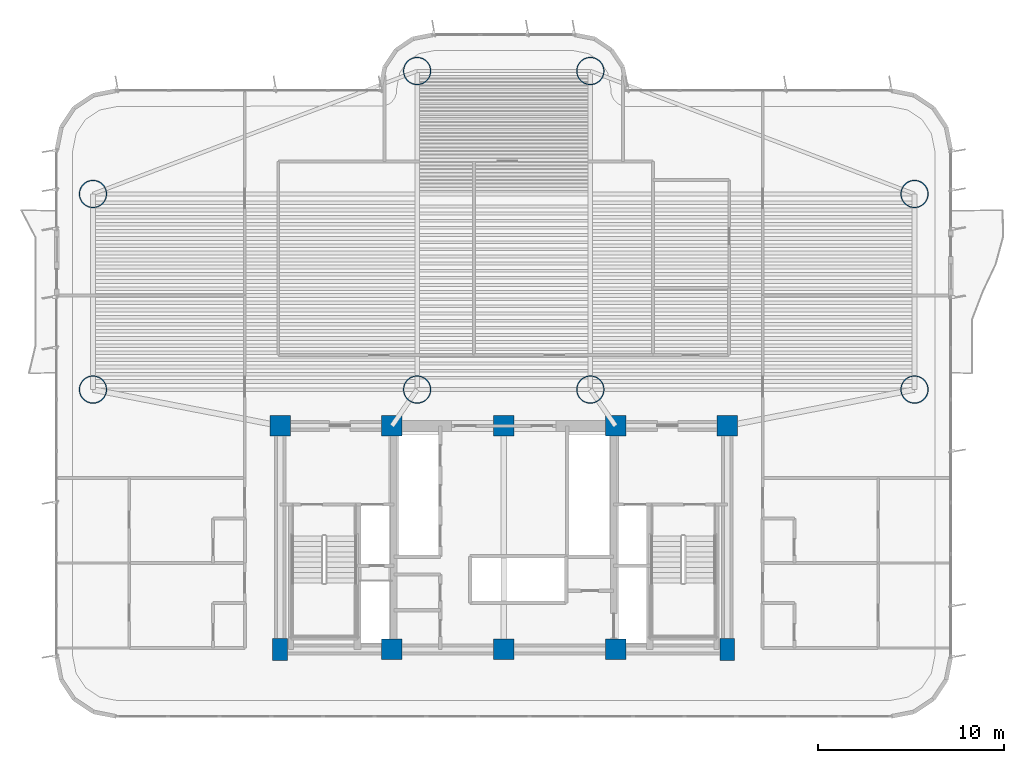
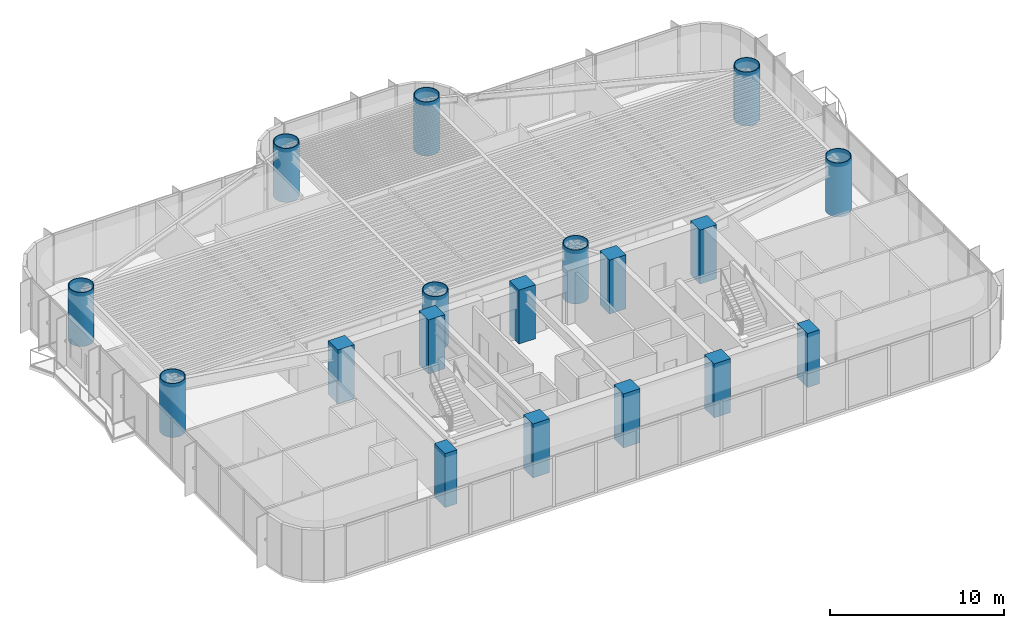
# One storey, part 1 of 17: 18 columns.
"""IFC4 building model written with IfcOpenShell, lengths in metres."""

from ifc_helpers import new_model, si_unit, direction, frame, origin, origin_2d, place, context, subcontext, project, spatial, rectangle, hollow_circle, extrude, source, transform, mapped, material, material_profile, profile_set, type_object, element, save


model = new_model("IFC4")

# Units and contexts
model_context = context("Model", 3, precision=1e-05, world=origin(), true_north=direction((0.0, 1.0)))
body_context = subcontext(model_context, "Body", "Model", "MODEL_VIEW")
ifc_project = project(units=[si_unit("LENGTHUNIT", "METRE"), si_unit("AREAUNIT", "SQUARE_METRE"), si_unit("VOLUMEUNIT", "CUBIC_METRE"), si_unit("PLANEANGLEUNIT", "RADIAN"), si_unit("MASSUNIT", "GRAM", prefix="KILO")], contexts=[model_context])

# Site, building, storey
site_placement = place(None, origin())
site = spatial("IfcSite", under=ifc_project, at=site_placement, CompositionType="ELEMENT")
building_placement = place(site_placement, origin())
building = spatial("IfcBuilding", under=site, at=building_placement, Name="Brelvock Crest Care Tower", CompositionType="ELEMENT")
storey_placement = place(building_placement, frame((0.0, 0.0, 45.89990234375)))
storey = spatial("IfcBuildingStorey", under=building, at=storey_placement, Name="L11", CompositionType="ELEMENT", Elevation=45.89990234375)

# Columns
ifc_material_1 = material(Name="Concrete S80 (80 MPa)", Category="concrete")
ifc_material_profile_1 = material_profile(ifc_material_1, rectangle(XDim=0.800048828125, YDim=1.199951171875, at=origin_2d()), Name="RC800x1200")
ifc_profile_set_1 = profile_set([ifc_material_profile_1], Name="Concrete S80 (80 MPa)")
column_type_1 = type_object("IfcColumnType", Name="COL-RC5", PredefinedType="COLUMN", material=ifc_profile_set_1)
shared_shape_1 = source(origin(), body_context, "Body", "SweptSolid", [
    extrude(rectangle(XDim=0.800048828125, YDim=1.199951171875, at=origin_2d()), origin(), (0.0, 0.0, 1.0), 3.780029296875),
])
for number, where, z_axis, x_axis, name in (
    (1, (24.0, 6.0, 0.0), (0.0, 0.0, 1.0), (1.0, 0.0, 0.0), "L11 Core Column CC-01"),
    (2, (48.0, 6.0, 0.0), (0.0, 0.0, 1.0), (1.0, 0.0, 0.0), "L11 Core Column CC-05"),
):
    element("IfcColumn", number, at=place(storey_placement, frame(where, z_axis=z_axis, x_axis=x_axis)), inside=storey, type_object=column_type_1, Name=name, PredefinedType="COLUMN", context=body_context, shape_type="MappedRepresentation", body=[
        mapped(shared_shape_1, transform((0.0, 0.0, 0.0), x_axis=(1.0, 0.0, 0.0), y_axis=(0.0, 1.0, 0.0), z_axis=(0.0, 0.0, 1.0), scale=1.0)),
    ])
ifc_material_profile_2 = material_profile(ifc_material_1, rectangle(XDim=1.10009765625, YDim=1.10009765625, at=origin_2d()), Name="RC1100x1100")
ifc_profile_set_2 = profile_set([ifc_material_profile_2], Name="Concrete S80 (80 MPa)")
column_type_2 = type_object("IfcColumnType", Name="COL-RC1", PredefinedType="COLUMN", material=ifc_profile_set_2)
shared_shape_2 = source(origin(), body_context, "Body", "SweptSolid", [
    extrude(rectangle(XDim=1.10009765625, YDim=1.10009765625, at=origin_2d()), origin(), (0.0, 0.0, 1.0), 3.780029296875),
])
for number, where, z_axis, x_axis, name in (
    (3, (30.0, 6.0, 0.0), (0.0, 0.0, 1.0), (1.0, 0.0, 0.0), "L11 Core Column CC-02"),
    (4, (36.0, 6.0, 0.0), (0.0, 0.0, 1.0), (1.0, 0.0, 0.0), "L11 Core Column CC-03"),
    (5, (42.0, 6.0, 0.0), (0.0, 0.0, 1.0), (1.0, 0.0, 0.0), "L11 Core Column CC-04"),
    (6, (24.0, 18.0, 0.0), (0.0, 0.0, 1.0), (1.0, 0.0, 0.0), "L11 Core Column CC-06"),
    (7, (30.0, 18.0, 0.0), (0.0, 0.0, 1.0), (1.0, 0.0, 0.0), "L11 Core Column CC-07"),
    (8, (36.0, 18.0, 0.0), (0.0, 0.0, 1.0), (1.0, 0.0, 0.0), "L11 Core Column CC-08"),
    (9, (42.0, 18.0, 0.0), (0.0, 0.0, 1.0), (1.0, 0.0, 0.0), "L11 Core Column CC-09"),
    (10, (48.0, 18.0, 0.0), (0.0, 0.0, 1.0), (1.0, 0.0, 0.0), "L11 Core Column CC-10"),
):
    element("IfcColumn", number, at=place(storey_placement, frame(where, z_axis=z_axis, x_axis=x_axis)), inside=storey, type_object=column_type_2, Name=name, PredefinedType="COLUMN", context=body_context, shape_type="MappedRepresentation", body=[
        mapped(shared_shape_2, transform((0.0, 0.0, 0.0), x_axis=(1.0, 0.0, 0.0), y_axis=(0.0, 1.0, 0.0), z_axis=(0.0, 0.0, 1.0), scale=1.0)),
    ])
ifc_material_2 = material(Name="Steel Grade 350", Category="steel")
ifc_material_profile_3 = material_profile(ifc_material_2, hollow_circle(Radius=0.75, WallThickness=0.050048828125, at=origin_2d()), Name="CFT1500x50")
ifc_profile_set_3 = profile_set([ifc_material_profile_3], Name="Steel Grade 350")
column_type_3 = type_object("IfcColumnType", Name="COL-MC1", PredefinedType="COLUMN", material=ifc_profile_set_3)
shared_shape_3 = source(origin(), body_context, "Body", "SweptSolid", [
    extrude(hollow_circle(Radius=0.75, WallThickness=0.050048828125, at=origin_2d()), origin(), (0.0, 0.0, 1.0), 3.780029296875),
])
for number, where, z_axis, x_axis, name in (
    (11, (13.949951171875, 19.949951171875, 0.0), (0.0, 0.0, 1.0), (1.0, 0.0, 0.0), "L11 Tower Column M1"),
    (12, (13.949951171875, 30.449951171875, 0.0), (0.0, 0.0, 1.0), (1.0, 0.0, 0.0), "L11 Tower Column M2"),
    (13, (58.050048828125, 19.949951171875, 0.0), (0.0, 0.0, 1.0), (1.0, 0.0, 0.0), "L11 Tower Column M3"),
    (14, (58.050048828125, 30.449951171875, 0.0), (0.0, 0.0, 1.0), (1.0, 0.0, 0.0), "L11 Tower Column M4"),
    (15, (31.35009765625, 19.949951171875, 0.0), (0.0, 0.0, 1.0), (1.0, 0.0, 0.0), "L11 Tower Column M5"),
    (16, (40.64990234375, 19.949951171875, 0.0), (0.0, 0.0, 1.0), (1.0, 0.0, 0.0), "L11 Tower Column M6"),
    (17, (31.35009765625, 37.050048828125, 0.0), (0.0, 0.0, 1.0), (1.0, 0.0, 0.0), "L11 Tower Column M7"),
    (18, (40.64990234375, 37.050048828125, 0.0), (0.0, 0.0, 1.0), (1.0, 0.0, 0.0), "L11 Tower Column M8"),
):
    element("IfcColumn", number, at=place(storey_placement, frame(where, z_axis=z_axis, x_axis=x_axis)), inside=storey, type_object=column_type_3, Name=name, PredefinedType="COLUMN", context=body_context, shape_type="MappedRepresentation", body=[
        mapped(shared_shape_3, transform((0.0, 0.0, 0.0), x_axis=(1.0, 0.0, 0.0), y_axis=(0.0, 1.0, 0.0), z_axis=(0.0, 0.0, 1.0), scale=1.0)),
    ])

save(model, "model.ifc")
